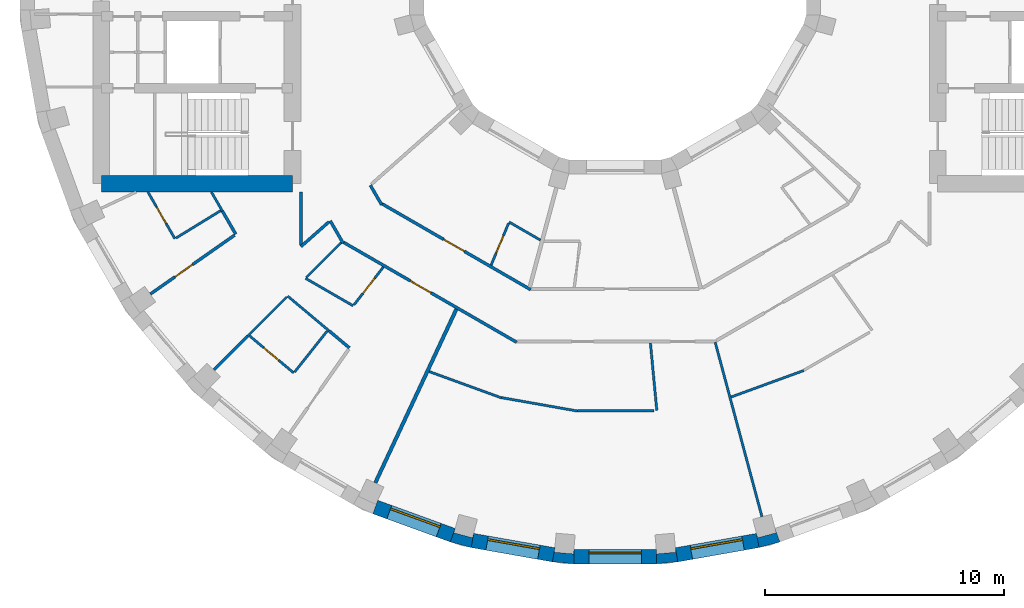
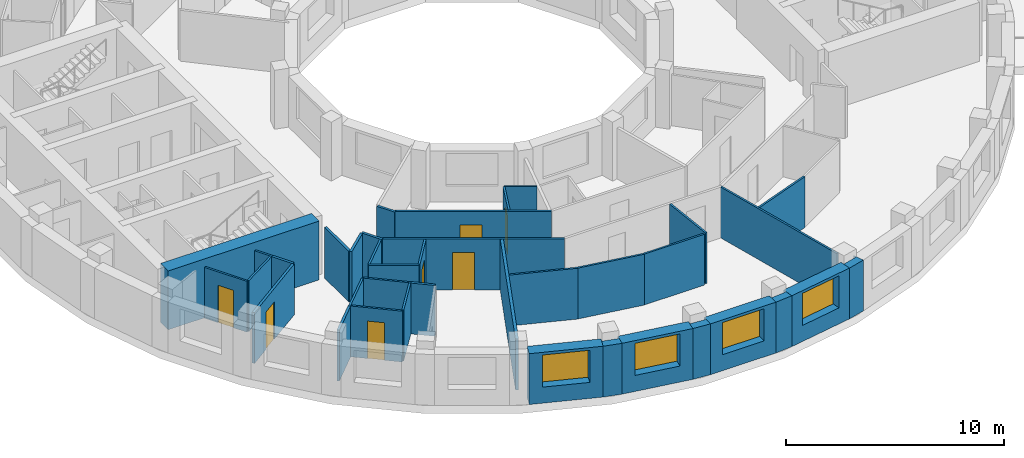
# One storey, part 2 of 11: 38 walls, 7 doors, 4 windows, 11 openings.
"""IFC4 building model written with IfcOpenShell, lengths in metres."""

from ifc_helpers import new_model, si_unit, direction, frame, frame_2d, origin, place, context, subcontext, project, spatial, polyline, rectangle, outline, extrude, material, layer, layer_set, type_object, element, fill, save


model = new_model("IFC4")

# Units and contexts
model_context = context("Model", 3, precision=1e-05, world=origin(), true_north=direction((0.0, 1.0)))
body_context = subcontext(model_context, "Body", "Model", "MODEL_VIEW")
ifc_project = project(units=[si_unit("LENGTHUNIT", "METRE"), si_unit("AREAUNIT", "SQUARE_METRE"), si_unit("VOLUMEUNIT", "CUBIC_METRE"), si_unit("PLANEANGLEUNIT", "RADIAN"), si_unit("MASSUNIT", "GRAM", prefix="KILO")], contexts=[model_context])

# Site, building, storey
site_placement = place(None, origin())
site = spatial("IfcSite", under=ifc_project, at=site_placement, CompositionType="ELEMENT")
building_placement = place(site_placement, origin())
building = spatial("IfcBuilding", under=site, at=building_placement, Name="Saqina Gate Tower", CompositionType="ELEMENT")
storey_placement = place(building_placement, frame((0.0, 0.0, 180.60009765625)))
storey = spatial("IfcBuildingStorey", under=building, at=storey_placement, Name="L51", CompositionType="ELEMENT", Elevation=180.60009765625)

# Walls
ifc_material_1 = material(Name="Brick masonry (buff)", Category="masonry")
wall_type_1 = type_object("IfcWallType", Name="BRICK PIER COPING BUFF", PredefinedType="SOLIDWALL", material=ifc_material_1)
wall_1_placement = place(storey_placement, origin())
element("IfcWall", 1, at=wall_1_placement, inside=storey, type_object=wall_type_1, Name="Pier cap L51 column 26", PredefinedType="SOLIDWALL", context=body_context, shape_type="SweptSolid", body=[
    extrude(outline(polyline([(-6.0234375, -24.22705078125), (-5.919189453125, -23.635986328125), (-5.967529296875, -23.81689453125), (-6.740478515625, -23.610107421875), (-6.69189453125, -23.428955078125), (-6.897216796875, -23.992919921875), (-6.0234375, -24.22705078125)])), origin(), (0.0, 0.0, 1.0), 2.849853515625),
])
wall_2_placement = place(storey_placement, origin())
element("IfcWall", 2, at=wall_2_placement, inside=storey, type_object=wall_type_1, Name="Pier cap L51 column 27", PredefinedType="SOLIDWALL", context=body_context, shape_type="SweptSolid", body=[
    extrude(outline(polyline([(-2.6259765625, -24.825927734375), (-1.724853515625, -24.90478515625), (-1.724853515625, -24.304931640625), (-1.7412109375, -24.491455078125), (-2.5380859375, -24.421630859375), (-2.521728515625, -24.235107421875), (-2.6259765625, -24.825927734375)])), origin(), (0.0, 0.0, 1.0), 2.849853515625),
])
wall_3_placement = place(storey_placement, origin())
element("IfcWall", 3, at=wall_3_placement, inside=storey, type_object=wall_type_1, Name="Pier cap L51 column 28", PredefinedType="SOLIDWALL", context=body_context, shape_type="SweptSolid", body=[
    extrude(outline(polyline([(1.724853515625, -24.90478515625), (2.6259765625, -24.825927734375), (2.521728515625, -24.235107421875), (2.5380859375, -24.421630859375), (1.7412109375, -24.491455078125), (1.724853515625, -24.304931640625), (1.724853515625, -24.90478515625)])), origin(), (0.0, 0.0, 1.0), 2.849853515625),
])
wall_4_placement = place(storey_placement, origin())
element("IfcWall", 4, at=wall_4_placement, inside=storey, type_object=wall_type_1, Name="Pier cap L51 column 29", PredefinedType="SOLIDWALL", context=body_context, shape_type="SweptSolid", body=[
    extrude(outline(polyline([(6.0234375, -24.22705078125), (6.897216796875, -23.992919921875), (6.69189453125, -23.428955078125), (6.740478515625, -23.610107421875), (5.967529296875, -23.81689453125), (5.919189453125, -23.635986328125), (6.0234375, -24.22705078125)])), origin(), (0.0, 0.0, 1.0), 2.849853515625),
])

# Wall, opening, window
ifc_material_2 = material(Name="Brick masonry (buff)", Category="masonry")
ifc_layer_1 = layer(ifc_material_2, 0.60009765625)
ifc_layer_set_1 = layer_set([ifc_layer_1], Name="FW-BRICK-BUFF")
wall_type_2 = type_object("IfcWallType", Name="FW-BRICK-BUFF", PredefinedType="SOLIDWALL", material=ifc_layer_set_1)
wall_5_placement = place(storey_placement, frame((-10.0361328125, -22.531005859375, 0.0), z_axis=(0.0, 0.0, 1.0), x_axis=(0.93968799822, -0.342032843455, 0.0)))
wall_5 = element("IfcWall", 5, at=wall_5_placement, inside=storey, type_object=wall_type_2, Name="Facade wall L51 facet 25", PredefinedType="SOLIDWALL", context=body_context, shape_type="SweptSolid", body=[
    extrude(rectangle(XDim=3.44970703125, YDim=0.60009765625, at=frame_2d((1.724853515625, 0.0))), origin(), (0.0, 0.0, 1.0), 2.849853515625),
])
opening_1_placement = place(wall_5_placement, frame((0.625, 0.0, 0.89990234375)))
opening_1 = element("IfcOpeningElement", 6, at=opening_1_placement, cuts=wall_5, Name="Opening G15-W17", PredefinedType="OPENING", context=body_context, shape_type="SweptSolid", body=[
    extrude(rectangle(XDim=2.199951171875, YDim=1.800048828125, at=frame_2d((1.10009765625, 0.89990234375))), frame((0.0, 0.31201171875, 0.0), z_axis=(0.0, -1.0, 0.0), x_axis=(1.0, 0.0, 0.0)), (0.0, 0.0, 1.0), 0.6240234375),
])
ifc_material_3 = material(Name="Aluminium glazing", Category="aluminium")
window_type = type_object("IfcWindowType", Name="WN-C", PartitioningType="SINGLE_PANEL", PredefinedType="WINDOW", material=ifc_material_3)
window_1_placement = place(opening_1_placement, origin())
window_1 = element("IfcWindow", 7, at=window_1_placement, inside=storey, type_object=window_type, Name="Window L51 facet 25", OverallHeight=1.800048828125, OverallWidth=2.199951171875, PartitioningType="SINGLE_PANEL", PredefinedType="WINDOW", context=body_context, shape_type="SweptSolid", body=[
    extrude(rectangle(XDim=2.199951171875, YDim=1.800048828125, at=frame_2d((1.10009765625, 0.89990234375))), frame((0.0, 0.179931640625, 0.0), z_axis=(0.0, -1.0, 0.0), x_axis=(1.0, 0.0, 0.0)), (0.0, 0.0, 1.0), 0.06005859375),
])
fill(opening_1, window_1)

wall_6_placement = place(storey_placement, frame((-5.97119140625, -23.931640625, 0.0), z_axis=(0.0, 0.0, 1.0), x_axis=(0.984814892183, -0.173607684551, 0.0)))
wall_6 = element("IfcWall", 8, at=wall_6_placement, inside=storey, type_object=wall_type_2, Name="Facade wall L51 facet 26", PredefinedType="SOLIDWALL", context=body_context, shape_type="SweptSolid", body=[
    extrude(rectangle(XDim=3.44970703125, YDim=0.60009765625, at=frame_2d((1.724853515625, 0.0))), origin(), (0.0, 0.0, 1.0), 2.849853515625),
])
opening_2_placement = place(wall_6_placement, frame((0.625, 0.0, 0.89990234375)))
opening_2 = element("IfcOpeningElement", 9, at=opening_2_placement, cuts=wall_6, Name="Opening G15-W18", PredefinedType="OPENING", context=body_context, shape_type="SweptSolid", body=[
    extrude(rectangle(XDim=2.199951171875, YDim=1.800048828125, at=frame_2d((1.10009765625, 0.89990234375))), frame((0.0, 0.31201171875, 0.0), z_axis=(0.0, -1.0, 0.0), x_axis=(1.0, 0.0, 0.0)), (0.0, 0.0, 1.0), 0.6240234375),
])
window_2_placement = place(opening_2_placement, origin())
window_2 = element("IfcWindow", 10, at=window_2_placement, inside=storey, type_object=window_type, Name="Window L51 facet 26", OverallHeight=1.800048828125, OverallWidth=2.199951171875, PartitioningType="SINGLE_PANEL", PredefinedType="WINDOW", context=body_context, shape_type="SweptSolid", body=[
    extrude(rectangle(XDim=2.199951171875, YDim=1.800048828125, at=frame_2d((1.10009765625, 0.89990234375))), frame((0.0, 0.179931640625, 0.0), z_axis=(0.0, -1.0, 0.0), x_axis=(1.0, 0.0, 0.0)), (0.0, 0.0, 1.0), 0.06005859375),
])
fill(opening_2, window_2)

wall_7_placement = place(storey_placement, frame((-1.724853515625, -24.60498046875, 0.0), z_axis=(0.0, 0.0, 1.0), x_axis=(1.0, 0.0, 0.0)))
wall_7 = element("IfcWall", 11, at=wall_7_placement, inside=storey, type_object=wall_type_2, Name="Facade wall L51 facet 27", PredefinedType="SOLIDWALL", context=body_context, shape_type="SweptSolid", body=[
    extrude(rectangle(XDim=3.44970703125, YDim=0.60009765625, at=frame_2d((1.724853515625, 0.0))), origin(), (0.0, 0.0, 1.0), 2.849853515625),
])
opening_3_placement = place(wall_7_placement, frame((0.625, 0.0, 0.89990234375)))
opening_3 = element("IfcOpeningElement", 12, at=opening_3_placement, cuts=wall_7, Name="Opening G15-W19", PredefinedType="OPENING", context=body_context, shape_type="SweptSolid", body=[
    extrude(rectangle(XDim=2.199951171875, YDim=1.800048828125, at=frame_2d((1.10009765625, 0.89990234375))), frame((0.0, 0.31201171875, 0.0), z_axis=(0.0, -1.0, 0.0), x_axis=(1.0, 0.0, 0.0)), (0.0, 0.0, 1.0), 0.6240234375),
])
window_3_placement = place(opening_3_placement, origin())
window_3 = element("IfcWindow", 13, at=window_3_placement, inside=storey, type_object=window_type, Name="Window L51 facet 27", OverallHeight=1.800048828125, OverallWidth=2.199951171875, PartitioningType="SINGLE_PANEL", PredefinedType="WINDOW", context=body_context, shape_type="SweptSolid", body=[
    extrude(rectangle(XDim=2.199951171875, YDim=1.800048828125, at=frame_2d((1.10009765625, 0.89990234375))), frame((0.0, 0.179931640625, 0.0), z_axis=(0.0, -1.0, 0.0), x_axis=(1.0, 0.0, 0.0)), (0.0, 0.0, 1.0), 0.06005859375),
])
fill(opening_3, window_3)

wall_8_placement = place(storey_placement, frame((2.573974609375, -24.530517578125, 0.0), z_axis=(0.0, 0.0, 1.0), x_axis=(0.984814892183, 0.173607684551, 0.0)))
wall_8 = element("IfcWall", 14, at=wall_8_placement, inside=storey, type_object=wall_type_2, Name="Facade wall L51 facet 28", PredefinedType="SOLIDWALL", context=body_context, shape_type="SweptSolid", body=[
    extrude(rectangle(XDim=3.44970703125, YDim=0.60009765625, at=frame_2d((1.724853515625, 0.0))), origin(), (0.0, 0.0, 1.0), 2.849853515625),
])
opening_4_placement = place(wall_8_placement, frame((0.625, 0.0, 0.89990234375)))
opening_4 = element("IfcOpeningElement", 15, at=opening_4_placement, cuts=wall_8, Name="Opening G15-W20", PredefinedType="OPENING", context=body_context, shape_type="SweptSolid", body=[
    extrude(rectangle(XDim=2.199951171875, YDim=1.800048828125, at=frame_2d((1.10009765625, 0.89990234375))), frame((0.0, 0.31201171875, 0.0), z_axis=(0.0, -1.0, 0.0), x_axis=(1.0, 0.0, 0.0)), (0.0, 0.0, 1.0), 0.6240234375),
])
window_4_placement = place(opening_4_placement, origin())
window_4 = element("IfcWindow", 16, at=window_4_placement, inside=storey, type_object=window_type, Name="Window L51 facet 28", OverallHeight=1.800048828125, OverallWidth=2.199951171875, PartitioningType="SINGLE_PANEL", PredefinedType="WINDOW", context=body_context, shape_type="SweptSolid", body=[
    extrude(rectangle(XDim=2.199951171875, YDim=1.800048828125, at=frame_2d((1.10009765625, 0.89990234375))), frame((0.0, 0.179931640625, 0.0), z_axis=(0.0, -1.0, 0.0), x_axis=(1.0, 0.0, 0.0)), (0.0, 0.0, 1.0), 0.06005859375),
])
fill(opening_4, window_4)

# Walls
ifc_material_4 = material(Name="Gypsum board on steel studs, 100 mm", Category="steel")
ifc_layer_2 = layer(ifc_material_4, 0.10009765625)
ifc_layer_set_2 = layer_set([ifc_layer_2], Name="PARTITION 100")
wall_type_3 = type_object("IfcWallType", Name="PARTITION 100", PredefinedType="PARTITIONING", material=ifc_layer_set_2)
wall_9_placement = place(storey_placement, frame((1.477783203125, -15.662109375, 0.0), z_axis=(0.0, 0.0, 1.0), x_axis=(0.094349605613, -0.995539126263, 0.0)))
element("IfcWall", 17, at=wall_9_placement, inside=storey, type_object=wall_type_3, Name="PARTITION PW3-01", PredefinedType="PARTITIONING", context=body_context, shape_type="SweptSolid", body=[
    extrude(rectangle(XDim=2.83349609375, YDim=0.10009765625, at=frame_2d((1.416748046875, 0.0))), origin(), (0.0, 0.0, 1.0), 2.849853515625),
])
wall_10_placement = place(storey_placement, frame((4.188720703125, -15.63232421875, 0.0), z_axis=(0.0, 0.0, 1.0), x_axis=(0.258899197964, -0.96590434583, 0.0)))
element("IfcWall", 18, at=wall_10_placement, inside=storey, type_object=wall_type_3, Name="PARTITION PW3-04", PredefinedType="PARTITIONING", context=body_context, shape_type="SweptSolid", body=[
    extrude(rectangle(XDim=7.55615234375, YDim=0.10009765625, at=frame_2d((3.778076171875, 0.0))), origin(), (0.0, 0.0, 1.0), 2.849853515625),
])

# Wall, opening, door
wall_11_placement = place(storey_placement, frame((-19.549072265625, -9.35009765625, 0.0), z_axis=(0.0, 0.0, 1.0), x_axis=(0.500006872736, -0.866021435772, 0.0)))
wall_11 = element("IfcWall", 19, at=wall_11_placement, inside=storey, type_object=wall_type_3, Name="PARTITION PW3-06", PredefinedType="PARTITIONING", context=body_context, shape_type="SweptSolid", body=[
    extrude(rectangle(XDim=2.25390625, YDim=0.10009765625, at=frame_2d((1.126953125, 0.0))), origin(), (0.0, 0.0, 1.0), 2.849853515625),
])
opening_5_placement = place(wall_11_placement, frame((0.72705078125, 0.0, 0.0)))
opening_5 = element("IfcOpeningElement", 20, at=opening_5_placement, cuts=wall_11, Name="Opening G15-D22", PredefinedType="OPENING", context=body_context, shape_type="SweptSolid", body=[
    extrude(rectangle(XDim=0.800048828125, YDim=2.10009765625, at=frame_2d((0.39990234375, 1.050048828125))), frame((0.0, 0.06201171875, 0.0), z_axis=(0.0, -1.0, 0.0), x_axis=(1.0, 0.0, 0.0)), (0.0, 0.0, 1.0), 0.1240234375),
])
ifc_material_5 = material(Name="Timber door leaf, 800 mm", Category="wood")
door_type_1 = type_object("IfcDoorType", Name="DOOR 800 TIMBER", OperationType="SINGLE_SWING_LEFT", PredefinedType="DOOR", material=ifc_material_5)
door_1_placement = place(opening_5_placement, frame((0.800048828125, 0.0, 0.0), z_axis=(0.0, 0.0, 1.0), x_axis=(-1.0, 0.0, 0.0)))
door_1 = element("IfcDoor", 21, at=door_1_placement, inside=storey, type_object=door_type_1, Name="DOOR G15-D22", OperationType="SINGLE_SWING_LEFT", OverallHeight=2.10009765625, OverallWidth=0.800048828125, PredefinedType="DOOR", context=body_context, shape_type="SweptSolid", body=[
    extrude(rectangle(XDim=0.800048828125, YDim=2.10009765625, at=frame_2d((0.39990234375, 1.050048828125))), frame((0.0, 0.02490234375, 0.0), z_axis=(0.0, -1.0, 0.0), x_axis=(1.0, 0.0, 0.0)), (0.0, 0.0, 1.0), 0.050048828125),
])
fill(opening_5, door_1)

# Wall
wall_12_placement = place(storey_placement, frame((-16.89306640625, -9.35009765625, 0.0), z_axis=(0.0, 0.0, 1.0), x_axis=(0.499699344759, -0.866198917598, 0.0)))
element("IfcWall", 22, at=wall_12_placement, inside=storey, type_object=wall_type_3, Name="PARTITION PW3-07", PredefinedType="PARTITIONING", context=body_context, shape_type="SweptSolid", body=[
    extrude(rectangle(XDim=0.91455078125, YDim=0.10009765625, at=frame_2d((0.457275390625, 0.0))), origin(), (0.0, 0.0, 1.0), 2.849853515625),
])

# Wall, opening, door
wall_13_placement = place(storey_placement, frame((-15.29638671875, -15.367431640625, 0.0), z_axis=(0.0, 0.0, 1.0), x_axis=(0.766039095888, -0.642793982215, 0.0)))
wall_13 = element("IfcWall", 23, at=wall_13_placement, inside=storey, type_object=wall_type_3, Name="PARTITION PW3-19", PredefinedType="PARTITIONING", context=body_context, shape_type="SweptSolid", body=[
    extrude(rectangle(XDim=2.416748046875, YDim=0.10009765625, at=frame_2d((1.20849609375, 0.0))), origin(), (0.0, 0.0, 1.0), 2.849853515625),
])
opening_6_placement = place(wall_13_placement, frame((0.783203125, 0.0, 0.0)))
opening_6 = element("IfcOpeningElement", 24, at=opening_6_placement, cuts=wall_13, Name="Opening G15-D24", PredefinedType="OPENING", context=body_context, shape_type="SweptSolid", body=[
    extrude(rectangle(XDim=0.800048828125, YDim=2.10009765625, at=frame_2d((0.39990234375, 1.050048828125))), frame((0.0, 0.06201171875, 0.0), z_axis=(0.0, -1.0, 0.0), x_axis=(1.0, 0.0, 0.0)), (0.0, 0.0, 1.0), 0.1240234375),
])
door_2_placement = place(opening_6_placement, frame((0.800048828125, 0.0, 0.0), z_axis=(0.0, 0.0, 1.0), x_axis=(-1.0, 0.0, 0.0)))
door_2 = element("IfcDoor", 25, at=door_2_placement, inside=storey, type_object=door_type_1, Name="DOOR G15-D24", OperationType="SINGLE_SWING_RIGHT", OverallHeight=2.10009765625, OverallWidth=0.800048828125, PredefinedType="DOOR", context=body_context, shape_type="SweptSolid", body=[
    extrude(rectangle(XDim=0.800048828125, YDim=2.10009765625, at=frame_2d((0.39990234375, 1.050048828125))), frame((0.0, 0.02490234375, 0.0), z_axis=(0.0, -1.0, 0.0), x_axis=(1.0, 0.0, 0.0)), (0.0, 0.0, 1.0), 0.050048828125),
])
fill(opening_6, door_2)

# Walls
wall_14_placement = place(storey_placement, frame((-13.702880859375, -13.702880859375, 0.0), z_axis=(0.0, 0.0, 1.0), x_axis=(0.766078026129, -0.642747584891, 0.0)))
element("IfcWall", 26, at=wall_14_placement, inside=storey, type_object=wall_type_3, Name="PARTITION PW3-20", PredefinedType="PARTITIONING", context=body_context, shape_type="SweptSolid", body=[
    extrude(rectangle(XDim=2.254638671875, YDim=0.10009765625, at=frame_2d((1.12744140625, 0.0))), origin(), (0.0, 0.0, 1.0), 2.849853515625),
])
wall_15_placement = place(storey_placement, frame((-12.955078125, -12.958251953125, 0.0), z_axis=(0.0, 0.0, 1.0), x_axis=(0.865950774653, -0.500129239174, 0.0)))
element("IfcWall", 27, at=wall_15_placement, inside=storey, type_object=wall_type_3, Name="PARTITION PW3-22", PredefinedType="PARTITIONING", context=body_context, shape_type="SweptSolid", body=[
    extrude(rectangle(XDim=2.30322265625, YDim=0.10009765625, at=frame_2d((1.151611328125, 0.0))), origin(), (0.0, 0.0, 1.0), 2.849853515625),
])
wall_16_placement = place(storey_placement, frame((-4.43505859375, -10.60302734375, 0.0), z_axis=(0.0, 0.0, 1.0), x_axis=(0.865968730787, -0.500098147666, 0.0)))
element("IfcWall", 28, at=wall_16_placement, inside=storey, type_object=wall_type_3, Name="PARTITION PW3-23", PredefinedType="PARTITIONING", context=body_context, shape_type="SweptSolid", body=[
    extrude(rectangle(XDim=1.518798828125, YDim=0.10009765625, at=frame_2d((0.75927734375, 0.0))), origin(), (0.0, 0.0, 1.0), 2.849853515625),
])
wall_17_placement = place(storey_placement, frame((-7.779541015625, -16.860595703125, 0.0), z_axis=(0.0, 0.0, 1.0), x_axis=(0.939600282454, -0.34227373433, 0.0)))
element("IfcWall", 29, at=wall_17_placement, inside=storey, type_object=wall_type_3, Name="PARTITION PW3-29", PredefinedType="PARTITIONING", context=body_context, shape_type="SweptSolid", body=[
    extrude(rectangle(XDim=3.21337890625, YDim=0.10009765625, at=frame_2d((1.606689453125, 0.0))), origin(), (0.0, 0.0, 1.0), 2.849853515625),
])
wall_18_placement = place(storey_placement, frame((-4.7587890625, -17.95166015625, 0.0), z_axis=(0.0, 0.0, 1.0), x_axis=(0.984816929669, -0.173596126217, 0.0)))
element("IfcWall", 30, at=wall_18_placement, inside=storey, type_object=wall_type_3, Name="PARTITION PW3-30", PredefinedType="PARTITIONING", context=body_context, shape_type="SweptSolid", body=[
    extrude(rectangle(XDim=3.23876953125, YDim=0.10009765625, at=frame_2d((1.619384765625, 0.0))), origin(), (0.0, 0.0, 1.0), 2.849853515625),
])
wall_19_placement = place(storey_placement, frame((-1.569091796875, -18.5048828125, 0.0), z_axis=(0.0, 0.0, 1.0), x_axis=(1.0, 0.0, 0.0)))
element("IfcWall", 31, at=wall_19_placement, inside=storey, type_object=wall_type_3, Name="PARTITION PW3-31", PredefinedType="PARTITIONING", context=body_context, shape_type="SweptSolid", body=[
    extrude(rectangle(XDim=3.18798828125, YDim=0.10009765625, at=frame_2d((1.593994140625, 0.0))), origin(), (0.0, 0.0, 1.0), 2.849853515625),
])
wall_20_placement = place(storey_placement, frame((4.85498046875, -17.92578125, 0.0), z_axis=(0.0, 0.0, 1.0), x_axis=(0.939623811072, 0.342209137323, 0.0)))
element("IfcWall", 32, at=wall_20_placement, inside=storey, type_object=wall_type_3, Name="PARTITION PW3-36", PredefinedType="PARTITIONING", context=body_context, shape_type="SweptSolid", body=[
    extrude(rectangle(XDim=3.23828125, YDim=0.10009765625, at=frame_2d((1.619140625, 0.0))), origin(), (0.0, 0.0, 1.0), 2.849853515625),
])
wall_21_placement = place(storey_placement, frame((-18.37939453125, -11.27587890625, 0.0), z_axis=(0.0, 0.0, 1.0), x_axis=(0.852400277597, 0.522889822766, 0.0)))
element("IfcWall", 33, at=wall_21_placement, inside=storey, type_object=wall_type_3, Name="PARTITION PW3-43", PredefinedType="PARTITIONING", context=body_context, shape_type="SweptSolid", body=[
    extrude(rectangle(XDim=2.200439453125, YDim=0.10009765625, at=frame_2d((1.10009765625, 0.0))), origin(), (0.0, 0.0, 1.0), 2.849853515625),
])
wall_22_placement = place(storey_placement, frame((-15.370361328125, -15.370361328125, 0.0), z_axis=(0.0, 0.0, 1.0), x_axis=(0.707106781187, 0.707106781187, 0.0)))
element("IfcWall", 34, at=wall_22_placement, inside=storey, type_object=wall_type_3, Name="PARTITION PW3-48", PredefinedType="PARTITIONING", context=body_context, shape_type="SweptSolid", body=[
    extrude(rectangle(XDim=2.306640625, YDim=0.10009765625, at=frame_2d((1.1533203125, 0.0))), origin(), (0.0, 0.0, 1.0), 2.849853515625),
])
wall_23_placement = place(storey_placement, frame((-12.920654296875, -12.920654296875, 0.0), z_axis=(0.0, 0.0, 1.0), x_axis=(0.707106781187, 0.707106781187, 0.0)))
element("IfcWall", 35, at=wall_23_placement, inside=storey, type_object=wall_type_3, Name="PARTITION PW3-49", PredefinedType="PARTITIONING", context=body_context, shape_type="SweptSolid", body=[
    extrude(rectangle(XDim=2.059814453125, YDim=0.10009765625, at=frame_2d((1.02978515625, 0.0))), origin(), (0.0, 0.0, 1.0), 2.849853515625),
])
wall_24_placement = place(storey_placement, frame((-13.413818359375, -16.8818359375, 0.0), z_axis=(0.0, 0.0, 1.0), x_axis=(0.622051214474, 0.78297655557, 0.0)))
element("IfcWall", 36, at=wall_24_placement, inside=storey, type_object=wall_type_3, Name="PARTITION PW3-53", PredefinedType="PARTITIONING", context=body_context, shape_type="SweptSolid", body=[
    extrude(rectangle(XDim=2.187744140625, YDim=0.10009765625, at=frame_2d((1.09375, 0.0))), origin(), (0.0, 0.0, 1.0), 2.849853515625),
])

# Wall, opening, door
wall_25_placement = place(storey_placement, frame((-10.92822265625, -14.071533203125, 0.0), z_axis=(0.0, 0.0, 1.0), x_axis=(0.61326580162, 0.789876608442, 0.0)))
wall_25 = element("IfcWall", 37, at=wall_25_placement, inside=storey, type_object=wall_type_3, Name="PARTITION PW3-54", PredefinedType="PARTITIONING", context=body_context, shape_type="SweptSolid", body=[
    extrude(rectangle(XDim=2.00439453125, YDim=0.10009765625, at=frame_2d((1.002197265625, 0.0))), origin(), (0.0, 0.0, 1.0), 2.849853515625),
])
opening_7_placement = place(wall_25_placement, frame((0.610107421875, 0.0, 0.0)))
opening_7 = element("IfcOpeningElement", 38, at=opening_7_placement, cuts=wall_25, Name="Opening G15-D25", PredefinedType="OPENING", context=body_context, shape_type="SweptSolid", body=[
    extrude(rectangle(XDim=0.800048828125, YDim=2.10009765625, at=frame_2d((0.39990234375, 1.050048828125))), frame((0.0, 0.06201171875, 0.0), z_axis=(0.0, -1.0, 0.0), x_axis=(1.0, 0.0, 0.0)), (0.0, 0.0, 1.0), 0.1240234375),
])
door_3_placement = place(opening_7_placement, frame((0.800048828125, 0.0, 0.0), z_axis=(0.0, 0.0, 1.0), x_axis=(-1.0, 0.0, 0.0)))
door_3 = element("IfcDoor", 39, at=door_3_placement, inside=storey, type_object=door_type_1, Name="DOOR G15-D25", OperationType="SINGLE_SWING_LEFT", OverallHeight=2.10009765625, OverallWidth=0.800048828125, PredefinedType="DOOR", context=body_context, shape_type="SweptSolid", body=[
    extrude(rectangle(XDim=0.800048828125, YDim=2.10009765625, at=frame_2d((0.39990234375, 1.050048828125))), frame((0.0, 0.02490234375, 0.0), z_axis=(0.0, -1.0, 0.0), x_axis=(1.0, 0.0, 0.0)), (0.0, 0.0, 1.0), 0.050048828125),
])
fill(opening_7, door_3)

wall_26_placement = place(storey_placement, frame((-5.18896484375, -12.4052734375, 0.0), z_axis=(0.0, 0.0, 1.0), x_axis=(0.385917276583, 0.922533389984, 0.0)))
wall_26 = element("IfcWall", 40, at=wall_26_placement, inside=storey, type_object=wall_type_3, Name="PARTITION PW3-60", PredefinedType="PARTITIONING", context=body_context, shape_type="SweptSolid", body=[
    extrude(rectangle(XDim=1.903564453125, YDim=0.10009765625, at=frame_2d((0.95166015625, 0.0))), origin(), (0.0, 0.0, 1.0), 2.849853515625),
])
opening_8_placement = place(wall_26_placement, frame((0.545654296875, 0.0, 0.0)))
opening_8 = element("IfcOpeningElement", 41, at=opening_8_placement, cuts=wall_26, Name="Opening G15-D29", PredefinedType="OPENING", context=body_context, shape_type="SweptSolid", body=[
    extrude(rectangle(XDim=0.800048828125, YDim=2.10009765625, at=frame_2d((0.39990234375, 1.050048828125))), frame((0.0, 0.06201171875, 0.0), z_axis=(0.0, -1.0, 0.0), x_axis=(1.0, 0.0, 0.0)), (0.0, 0.0, 1.0), 0.1240234375),
])
door_4_placement = place(opening_8_placement, origin())
door_4 = element("IfcDoor", 42, at=door_4_placement, inside=storey, type_object=door_type_1, Name="DOOR G15-D29", OperationType="SINGLE_SWING_LEFT", OverallHeight=2.10009765625, OverallWidth=0.800048828125, PredefinedType="DOOR", context=body_context, shape_type="SweptSolid", body=[
    extrude(rectangle(XDim=0.800048828125, YDim=2.10009765625, at=frame_2d((0.39990234375, 1.050048828125))), frame((0.0, 0.02490234375, 0.0), z_axis=(0.0, -1.0, 0.0), x_axis=(1.0, 0.0, 0.0)), (0.0, 0.0, 1.0), 0.050048828125),
])
fill(opening_8, door_4)

# Walls
ifc_material_6 = material(Name="Gypsum board on steel studs, 125 mm, fire rated", Category="steel")
ifc_layer_3 = layer(ifc_material_6, 0.125)
ifc_layer_set_3 = layer_set([ifc_layer_3], Name="PARTITION EI 30 125")
wall_type_4 = type_object("IfcWallType", Name="PARTITION EI 30 125", PredefinedType="PARTITIONING", material=ifc_layer_set_3)
wall_27_placement = place(storey_placement, frame((-11.921142578125, -10.550537109375, 0.0), z_axis=(0.0, 0.0, 1.0), x_axis=(0.497529675686, -0.867446956195, 0.0)))
element("IfcWall", 43, at=wall_27_placement, inside=storey, type_object=wall_type_4, Name="PARTITION PW1-01", PredefinedType="PARTITIONING", context=body_context, shape_type="SweptSolid", body=[
    extrude(rectangle(XDim=1.0771484375, YDim=0.125, at=frame_2d((0.53857421875, 0.0))), origin(), (0.0, 0.0, 1.0), 2.849853515625),
])
wall_28_placement = place(storey_placement, frame((-16.43603515625, -10.142333984375, 0.0), z_axis=(0.0, 0.0, 1.0), x_axis=(0.500306615371, -0.865848306932, 0.0)))
element("IfcWall", 44, at=wall_28_placement, inside=storey, type_object=wall_type_4, Name="PARTITION PW1-02", PredefinedType="PARTITIONING", context=body_context, shape_type="SweptSolid", body=[
    extrude(rectangle(XDim=1.121337890625, YDim=0.125, at=frame_2d((0.560546875, 0.0))), origin(), (0.0, 0.0, 1.0), 2.849853515625),
])
wall_29_placement = place(storey_placement, frame((-10.243896484375, -9.062255859375, 0.0), z_axis=(0.0, 0.0, 1.0), x_axis=(0.501067067948, -0.865408454672, 0.0)))
element("IfcWall", 45, at=wall_29_placement, inside=storey, type_object=wall_type_4, Name="PARTITION PW1-04", PredefinedType="PARTITIONING", context=body_context, shape_type="SweptSolid", body=[
    extrude(rectangle(XDim=0.9375, YDim=0.125, at=frame_2d((0.46875, 0.0))), origin(), (0.0, 0.0, 1.0), 2.849853515625),
])
wall_30_placement = place(storey_placement, frame((-11.9755859375, -15.152099609375, 0.0), z_axis=(0.0, 0.0, 1.0), x_axis=(0.766125727854, -0.642690725871, 0.0)))
element("IfcWall", 46, at=wall_30_placement, inside=storey, type_object=wall_type_4, Name="PARTITION PW1-12", PredefinedType="PARTITIONING", context=body_context, shape_type="SweptSolid", body=[
    extrude(rectangle(XDim=1.119384765625, YDim=0.125, at=frame_2d((0.5595703125, 0.0))), origin(), (0.0, 0.0, 1.0), 2.849853515625),
])

# Wall, opening, door
wall_31_placement = place(storey_placement, frame((-11.365966796875, -11.451171875, 0.0), z_axis=(0.0, 0.0, 1.0), x_axis=(0.866032091518, -0.499988416326, 0.0)))
wall_31 = element("IfcWall", 47, at=wall_31_placement, inside=storey, type_object=wall_type_4, Name="PARTITION PW1-14", PredefinedType="PARTITIONING", context=body_context, shape_type="SweptSolid", body=[
    extrude(rectangle(XDim=8.369873046875, YDim=0.125, at=frame_2d((4.18505859375, 0.0))), origin(), (0.0, 0.0, 1.0), 2.849853515625),
])
opening_9_placement = place(wall_31_placement, frame((3.2255859375, 0.0, 0.0)))
opening_9 = element("IfcOpeningElement", 48, at=opening_9_placement, cuts=wall_31, Name="Opening G15-D27", PredefinedType="OPENING", context=body_context, shape_type="SweptSolid", body=[
    extrude(rectangle(XDim=1.0, YDim=2.10009765625, at=frame_2d((0.5, 1.050048828125))), frame((0.0, 0.074462890625, 0.0), z_axis=(0.0, -1.0, 0.0), x_axis=(1.0, 0.0, 0.0)), (0.0, 0.0, 1.0), 0.14892578125),
])
ifc_material_7 = material(Name="Fire door leaf EI 30, 1000 mm")
door_type_2 = type_object("IfcDoorType", Name="DOOR 1000 EI 30", OperationType="SINGLE_SWING_LEFT", PredefinedType="DOOR", material=ifc_material_7)
door_5_placement = place(opening_9_placement, frame((1.0, 0.0, 0.0), z_axis=(0.0, 0.0, 1.0), x_axis=(-1.0, 0.0, 0.0)))
door_5 = element("IfcDoor", 49, at=door_5_placement, inside=storey, type_object=door_type_2, Name="DOOR G15-D27", OperationType="SINGLE_SWING_RIGHT", OverallHeight=2.10009765625, OverallWidth=1.0, PredefinedType="DOOR", context=body_context, shape_type="SweptSolid", body=[
    extrude(rectangle(XDim=1.0, YDim=2.10009765625, at=frame_2d((0.5, 1.050048828125))), frame((0.0, 0.02490234375, 0.0), z_axis=(0.0, -1.0, 0.0), x_axis=(1.0, 0.0, 0.0)), (0.0, 0.0, 1.0), 0.050048828125),
])
fill(opening_9, door_5)

wall_32_placement = place(storey_placement, frame((-9.7548828125, -9.84033203125, 0.0), z_axis=(0.0, 0.0, 1.0), x_axis=(0.865968995572, -0.500097689165, 0.0)))
wall_32 = element("IfcWall", 50, at=wall_32_placement, inside=storey, type_object=wall_type_4, Name="PARTITION PW1-15", PredefinedType="PARTITIONING", context=body_context, shape_type="SweptSolid", body=[
    extrude(rectangle(XDim=7.18994140625, YDim=0.125, at=frame_2d((3.594970703125, 0.0))), origin(), (0.0, 0.0, 1.0), 2.849853515625),
])
opening_10_placement = place(wall_32_placement, frame((2.976806640625, 0.0, 0.0)))
opening_10 = element("IfcOpeningElement", 51, at=opening_10_placement, cuts=wall_32, Name="Opening G15-D28", PredefinedType="OPENING", context=body_context, shape_type="SweptSolid", body=[
    extrude(rectangle(XDim=1.0, YDim=2.10009765625, at=frame_2d((0.5, 1.050048828125))), frame((0.0, 0.074462890625, 0.0), z_axis=(0.0, -1.0, 0.0), x_axis=(1.0, 0.0, 0.0)), (0.0, 0.0, 1.0), 0.14892578125),
])
door_6_placement = place(opening_10_placement, origin())
door_6 = element("IfcDoor", 52, at=door_6_placement, inside=storey, type_object=door_type_2, Name="DOOR G15-D28", OperationType="SINGLE_SWING_LEFT", OverallHeight=2.10009765625, OverallWidth=1.0, PredefinedType="DOOR", context=body_context, shape_type="SweptSolid", body=[
    extrude(rectangle(XDim=1.0, YDim=2.10009765625, at=frame_2d((0.5, 1.050048828125))), frame((0.0, 0.02490234375, 0.0), z_axis=(0.0, -1.0, 0.0), x_axis=(1.0, 0.0, 0.0)), (0.0, 0.0, 1.0), 0.050048828125),
])
fill(opening_10, door_6)

wall_33_placement = place(storey_placement, frame((-19.44677734375, -13.616455078125, 0.0), z_axis=(0.0, 0.0, 1.0), x_axis=(0.819407978004, 0.573210751455, 0.0)))
wall_33 = element("IfcWall", 53, at=wall_33_placement, inside=storey, type_object=wall_type_4, Name="PARTITION PW1-27", PredefinedType="PARTITIONING", context=body_context, shape_type="SweptSolid", body=[
    extrude(rectangle(XDim=4.298828125, YDim=0.125, at=frame_2d((2.1494140625, 0.0))), origin(), (0.0, 0.0, 1.0), 2.849853515625),
])
opening_11_placement = place(wall_33_placement, frame((1.25341796875, 0.0, 0.0)))
opening_11 = element("IfcOpeningElement", 54, at=opening_11_placement, cuts=wall_33, Name="Opening G15-D23", PredefinedType="OPENING", context=body_context, shape_type="SweptSolid", body=[
    extrude(rectangle(XDim=0.89990234375, YDim=2.10009765625, at=frame_2d((0.449951171875, 1.050048828125))), frame((0.0, 0.074462890625, 0.0), z_axis=(0.0, -1.0, 0.0), x_axis=(1.0, 0.0, 0.0)), (0.0, 0.0, 1.0), 0.14892578125),
])
ifc_material_8 = material(Name="Fire door leaf EI 30, 900 mm")
door_type_3 = type_object("IfcDoorType", Name="DOOR 900 EI 30", OperationType="SINGLE_SWING_LEFT", PredefinedType="DOOR", material=ifc_material_8)
door_7_placement = place(opening_11_placement, frame((0.89990234375, 0.0, 0.0), z_axis=(0.0, 0.0, 1.0), x_axis=(-1.0, 0.0, 0.0)))
door_7 = element("IfcDoor", 55, at=door_7_placement, inside=storey, type_object=door_type_3, Name="DOOR G15-D23", OperationType="SINGLE_SWING_RIGHT", OverallHeight=2.10009765625, OverallWidth=0.89990234375, PredefinedType="DOOR", context=body_context, shape_type="SweptSolid", body=[
    extrude(rectangle(XDim=0.89990234375, YDim=2.10009765625, at=frame_2d((0.449951171875, 1.050048828125))), frame((0.0, 0.02490234375, 0.0), z_axis=(0.0, -1.0, 0.0), x_axis=(1.0, 0.0, 0.0)), (0.0, 0.0, 1.0), 0.050048828125),
])
fill(opening_11, door_7)

# Walls
wall_34_placement = place(storey_placement, frame((-13.147216796875, -11.631103515625, 0.0), z_axis=(0.0, 0.0, 1.0), x_axis=(0.749266337154, 0.662268794379, 0.0)))
element("IfcWall", 56, at=wall_34_placement, inside=storey, type_object=wall_type_4, Name="PARTITION PW1-30", PredefinedType="PARTITIONING", context=body_context, shape_type="SweptSolid", body=[
    extrude(rectangle(XDim=1.571533203125, YDim=0.125, at=frame_2d((0.78564453125, 0.0))), origin(), (0.0, 0.0, 1.0), 2.849853515625),
])
wall_35_placement = place(storey_placement, frame((-16.78662109375, -16.78662109375, 0.0), z_axis=(0.0, 0.0, 1.0), x_axis=(0.707106781187, 0.707106781187, 0.0)))
element("IfcWall", 57, at=wall_35_placement, inside=storey, type_object=wall_type_4, Name="PARTITION PW1-34", PredefinedType="PARTITIONING", context=body_context, shape_type="SweptSolid", body=[
    extrude(rectangle(XDim=2.0029296875, YDim=0.125, at=frame_2d((1.00146484375, 0.0))), origin(), (0.0, 0.0, 1.0), 2.849853515625),
])
wall_36_placement = place(storey_placement, frame((-13.14990234375, -11.5673828125, 0.0), z_axis=(0.0, 0.0, 1.0), x_axis=(0.0, 1.0, 0.0)))
element("IfcWall", 58, at=wall_36_placement, inside=storey, type_object=wall_type_4, Name="PARTITION PW1-47", PredefinedType="PARTITIONING", context=body_context, shape_type="SweptSolid", body=[
    extrude(rectangle(XDim=2.21630859375, YDim=0.125, at=frame_2d((1.108154296875, 0.0))), origin(), (0.0, 0.0, 1.0), 2.849853515625),
])
ifc_material_9 = material(Name="Gypsum board on steel studs, 150 mm, fire rated", Category="steel")
ifc_layer_4 = layer(ifc_material_9, 0.14990234375)
ifc_layer_set_4 = layer_set([ifc_layer_4], Name="PARTITION EI 60 150")
wall_type_5 = type_object("IfcWallType", Name="PARTITION EI 60 150", PredefinedType="PARTITIONING", material=ifc_layer_set_4)
wall_37_placement = place(storey_placement, frame((-10.03369140625, -21.515380859375, 0.0), z_axis=(0.0, 0.0, 1.0), x_axis=(0.422970482998, 0.906143460227, 0.0)))
element("IfcWall", 59, at=wall_37_placement, inside=storey, type_object=wall_type_5, Name="PARTITION PW2-04", PredefinedType="PARTITIONING", context=body_context, shape_type="SweptSolid", body=[
    extrude(rectangle(XDim=8.017333984375, YDim=0.14990234375, at=frame_2d((4.0087890625, 0.0))), origin(), (0.0, 0.0, 1.0), 2.849853515625),
])
ifc_material_10 = material(Name="Concrete C60/75", Category="concrete")
ifc_layer_5 = layer(ifc_material_10, 0.699951171875)
ifc_layer_set_5 = layer_set([ifc_layer_5], Name="Concrete C60/75")
wall_type_6 = type_object("IfcWallType", Name="STR-CORE WALL-C-O", PredefinedType="SHEAR", material=ifc_layer_set_5)
wall_38_placement = place(storey_placement, frame((-13.5, -9.0, 0.0), z_axis=(0.0, 0.0, 1.0), x_axis=(-1.0, 0.0, 0.0)))
element("IfcWall", 60, at=wall_38_placement, inside=storey, type_object=wall_type_6, Name="CORE WALL L51 W-SE", PredefinedType="SHEAR", context=body_context, shape_type="SweptSolid", body=[
    extrude(rectangle(XDim=8.0, YDim=0.699951171875, at=frame_2d((4.0, 0.0))), origin(), (0.0, 0.0, 1.0), 3.2998046875),
])

save(model, "model.ifc")
